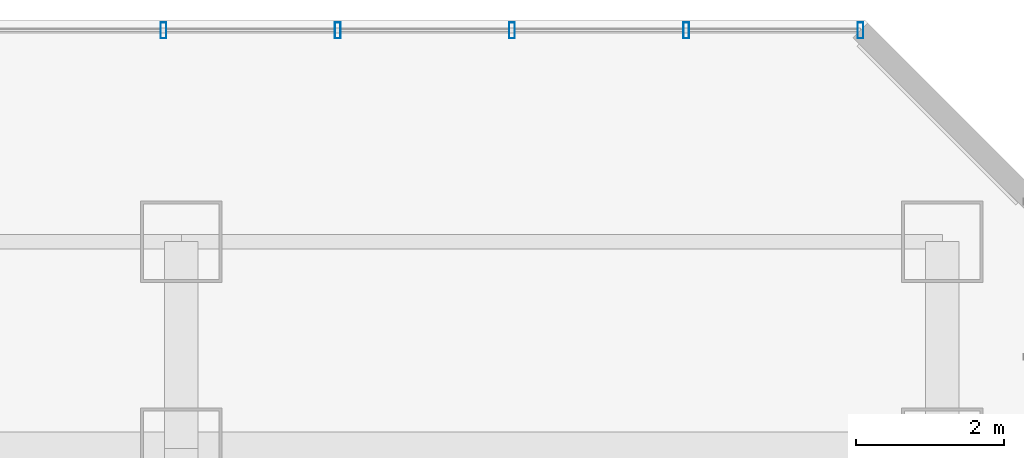
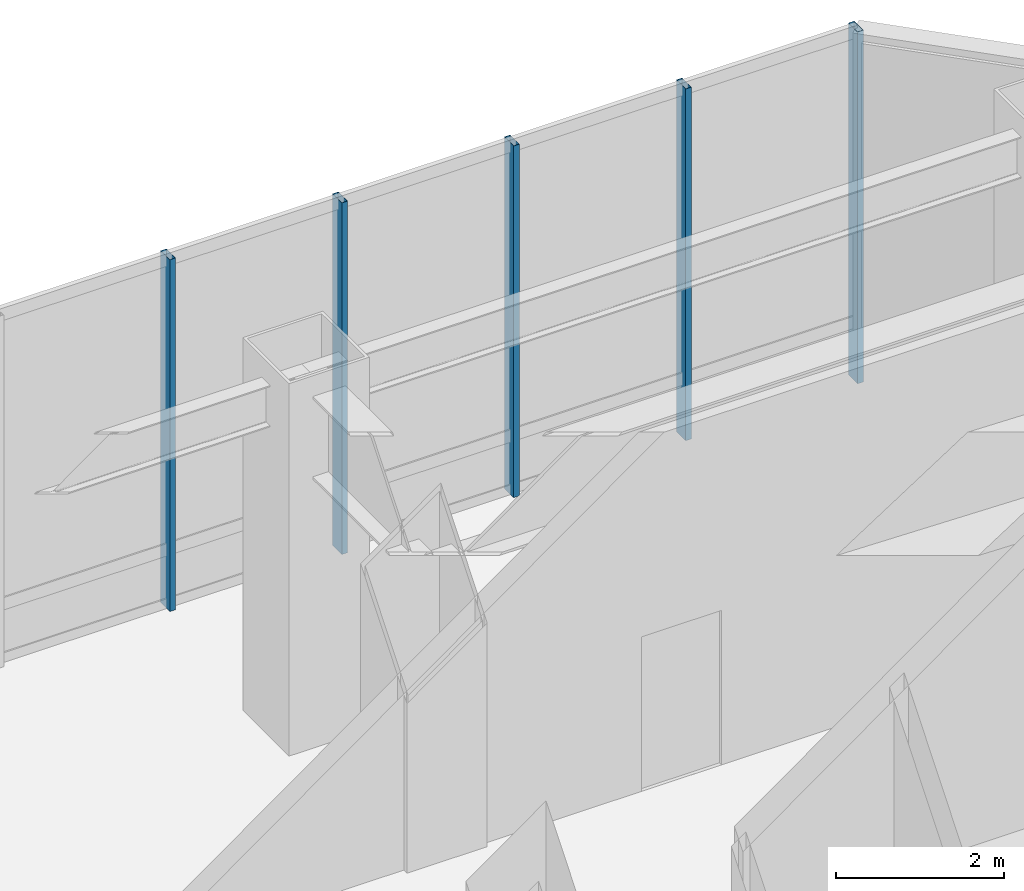
# One storey, part 22 of 35: 5 members, 1 element without a shape of its own.
"""IFC4 building model written with IfcOpenShell, lengths in metres."""

from ifc_helpers import new_model, si_unit, direction, frame, origin, origin_2d, place, context, subcontext, project, spatial, hollow_rectangle, extrude, material, layer, layer_set, material_profile, profile_set, type_object, element, aggregate, save


model = new_model("IFC4")

# Units and contexts
model_context = context("Model", 3, precision=1e-05, world=origin(), true_north=direction((0.0, 1.0)))
body_context = subcontext(model_context, "Body", "Model", "MODEL_VIEW")
ifc_project = project(units=[si_unit("LENGTHUNIT", "METRE"), si_unit("AREAUNIT", "SQUARE_METRE"), si_unit("VOLUMEUNIT", "CUBIC_METRE"), si_unit("PLANEANGLEUNIT", "RADIAN"), si_unit("MASSUNIT", "GRAM", prefix="KILO")], contexts=[model_context])

# Site, building, storey
site_placement = place(None, origin())
site = spatial("IfcSite", under=ifc_project, at=site_placement, CompositionType="ELEMENT")
building_placement = place(site_placement, origin())
building = spatial("IfcBuilding", under=site, at=building_placement, Name="Hatsunagi Terrace Concourse", CompositionType="ELEMENT")
storey_placement = place(building_placement, frame((0.0, 0.0, 10.800048828125)))
storey = spatial("IfcBuildingStorey", under=building, at=storey_placement, Name="L03", CompositionType="ELEMENT", Elevation=10.800048828125)

# Curtain wall, members
ifc_material_1 = material(Name="Anodised Aluminium Alloy 6063-T5", Category="aluminium")
ifc_layer = layer(ifc_material_1, 0.199951171875)
ifc_layer_set = layer_set([ifc_layer], Name="PodiumStorefront_CW01")
curtain_wall_type = type_object("IfcCurtainWallType", Name="PodiumStorefront_CW01", PredefinedType="NOTDEFINED", material=ifc_layer_set)
curtain_wall_placement = place(storey_placement, origin())
curtain_wall = element("IfcCurtainWall", 1, at=curtain_wall_placement, inside=storey, type_object=curtain_wall_type, Name="Unitised Curtain Wall CW-01 CW-L03-12", PredefinedType="NOTDEFINED")
ifc_material_2 = material(Name="Anodised Aluminium Alloy 6063-T5", Category="aluminium")
ifc_material_profile = material_profile(ifc_material_2, hollow_rectangle(XDim=0.080078125, YDim=0.219970703125, WallThickness=0.0048828125, at=origin_2d()), Name="ALU-MUL-220x80x5")
ifc_profile_set = profile_set([ifc_material_profile], Name="Anodised Aluminium Alloy 6063-T5")
member_type = type_object("IfcMemberType", Name="CurtainWallMullion_Heavy_220x80", PredefinedType="MULLION", material=ifc_profile_set)
member_1_placement = place(storey_placement, frame((33.110107421875, 51.4599609375, 0.0), z_axis=(0.0, 0.0, 1.0), x_axis=(1.0, 0.0, 0.0)))
member_1 = element("IfcMember", 2, at=member_1_placement, type_object=member_type, Name="Curtain Wall Mullion MUL-01", PredefinedType="MULLION", context=body_context, shape_type="SweptSolid", body=[
    extrude(hollow_rectangle(XDim=0.080078125, YDim=0.219970703125, WallThickness=0.0048828125, at=origin_2d()), origin(), (0.0, 0.0, 1.0), 5.099853515625),
])
member_2_placement = place(storey_placement, frame((35.468017578125, 51.4599609375, 0.0), z_axis=(0.0, 0.0, 1.0), x_axis=(1.0, 0.0, 0.0)))
member_2 = element("IfcMember", 3, at=member_2_placement, type_object=member_type, Name="Curtain Wall Mullion MUL-01", PredefinedType="MULLION", context=body_context, shape_type="SweptSolid", body=[
    extrude(hollow_rectangle(XDim=0.080078125, YDim=0.219970703125, WallThickness=0.0048828125, at=origin_2d()), origin(), (0.0, 0.0, 1.0), 5.099853515625),
])
member_3_placement = place(storey_placement, frame((37.825927734375, 51.4599609375, 0.0), z_axis=(0.0, 0.0, 1.0), x_axis=(1.0, 0.0, 0.0)))
member_3 = element("IfcMember", 4, at=member_3_placement, type_object=member_type, Name="Curtain Wall Mullion MUL-01", PredefinedType="MULLION", context=body_context, shape_type="SweptSolid", body=[
    extrude(hollow_rectangle(XDim=0.080078125, YDim=0.219970703125, WallThickness=0.0048828125, at=origin_2d()), origin(), (0.0, 0.0, 1.0), 5.099853515625),
])
member_4_placement = place(storey_placement, frame((40.18408203125, 51.4599609375, 0.0), z_axis=(0.0, 0.0, 1.0), x_axis=(1.0, 0.0, 0.0)))
member_4 = element("IfcMember", 5, at=member_4_placement, type_object=member_type, Name="Curtain Wall Mullion MUL-01", PredefinedType="MULLION", context=body_context, shape_type="SweptSolid", body=[
    extrude(hollow_rectangle(XDim=0.080078125, YDim=0.219970703125, WallThickness=0.0048828125, at=origin_2d()), origin(), (0.0, 0.0, 1.0), 5.099853515625),
])
member_5_placement = place(storey_placement, frame((42.5419921875, 51.4599609375, 0.0), z_axis=(0.0, 0.0, 1.0), x_axis=(1.0, 0.0, 0.0)))
member_5 = element("IfcMember", 6, at=member_5_placement, type_object=member_type, Name="Curtain Wall Mullion MUL-01", PredefinedType="MULLION", context=body_context, shape_type="SweptSolid", body=[
    extrude(hollow_rectangle(XDim=0.080078125, YDim=0.219970703125, WallThickness=0.0048828125, at=origin_2d()), origin(), (0.0, 0.0, 1.0), 5.099853515625),
])
aggregate(curtain_wall, [member_1, member_2, member_3, member_4, member_5])

save(model, "model.ifc")
